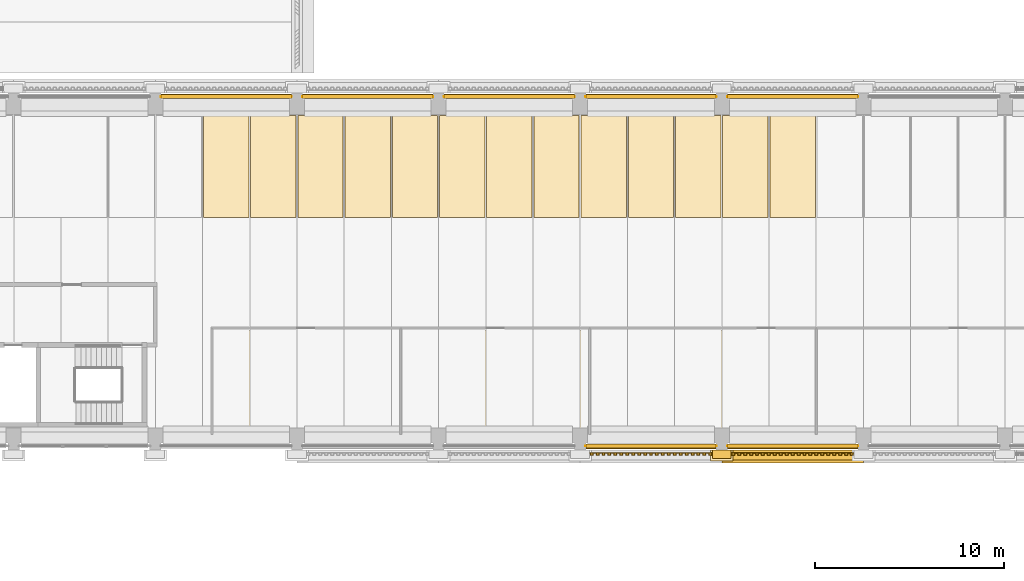
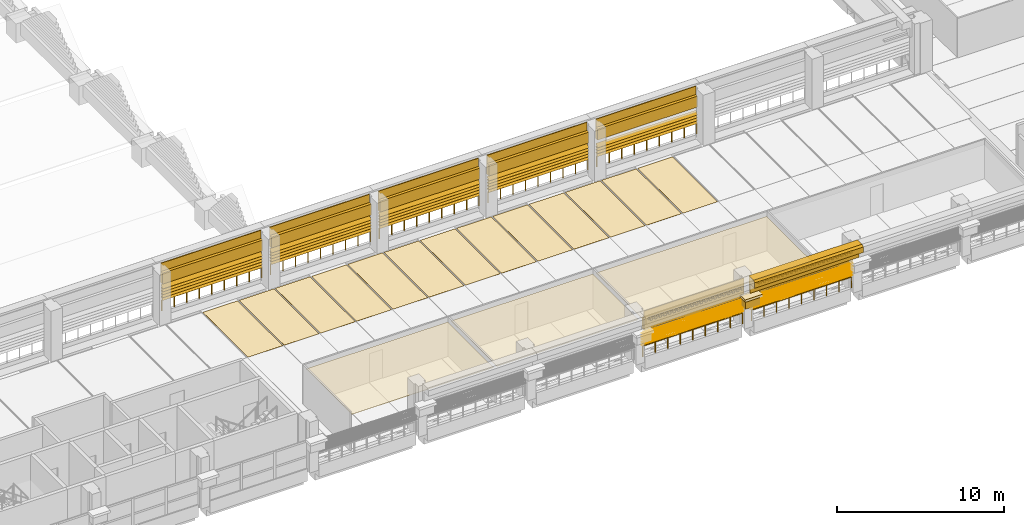
# One storey, part 46 of 71: 34 shading devices, 28 coverings, 7 railings.
"""IFC4 building model written with IfcOpenShell, lengths in metres."""

from ifc_helpers import new_model, si_unit, direction, frame, origin, origin_2d, place, context, subcontext, project, spatial, polyline, circle, outline, extrude, material, layer, layer_set, type_object, element, save


model = new_model("IFC4")

# Units and contexts
model_context = context("Model", 3, precision=1e-05, world=origin(), true_north=direction((0.0, 1.0)))
body_context = subcontext(model_context, "Body", "Model", "MODEL_VIEW")
ifc_project = project(units=[si_unit("LENGTHUNIT", "METRE"), si_unit("AREAUNIT", "SQUARE_METRE"), si_unit("VOLUMEUNIT", "CUBIC_METRE"), si_unit("PLANEANGLEUNIT", "RADIAN"), si_unit("MASSUNIT", "GRAM", prefix="KILO")], contexts=[model_context])

# Site, building, storey
site_placement = place(None, origin())
site = spatial("IfcSite", under=ifc_project, at=site_placement, CompositionType="ELEMENT")
building_placement = place(site_placement, origin())
building = spatial("IfcBuilding", under=site, at=building_placement, Name="Cour d'Honneur Mobility Palace", CompositionType="ELEMENT")
storey_placement = place(building_placement, frame((0.0, 0.0, 15.60009765625)))
storey = spatial("IfcBuildingStorey", under=building, at=storey_placement, Name="L04", CompositionType="ELEMENT", Elevation=15.60009765625)

# Railings
ifc_material_1 = material(Name="Painted steel", Category="steel")
railing_type = type_object("IfcRailingType", Name="Balustrade", PredefinedType="BALUSTRADE", material=ifc_material_1)
for number, where, name in (
    (1, (115.199951171875, 44.449951171875, 0.2998046875), "Balustrade BAL-214"),
    (2, (122.699951171875, 44.449951171875, 0.2998046875), "Balustrade BAL-215"),
):
    element("IfcRailing", number, at=place(storey_placement, frame(where)), inside=storey, type_object=railing_type, Name=name, PredefinedType="BALUSTRADE", context=body_context, shape_type="SweptSolid", body=[
        extrude(circle(Radius=0.02392578125, at=origin_2d()), frame((0.0, 0.0, 0.77587890625), z_axis=(1.0, 0.0, 0.0), x_axis=(0.0, 1.0, 0.0)), (0.0, 0.0, 1.0), 6.900146484375),
        extrude(circle(Radius=0.02099609375, at=origin_2d()), origin(), (0.0, 0.0, 1.0), 0.751953125),
        extrude(circle(Radius=0.02099609375, at=origin_2d()), frame((0.862548828125, 0.0, 0.0)), (0.0, 0.0, 1.0), 0.751953125),
        extrude(circle(Radius=0.02099609375, at=origin_2d()), frame((1.72509765625, 0.0, 0.0)), (0.0, 0.0, 1.0), 0.751953125),
        extrude(circle(Radius=0.02099609375, at=origin_2d()), frame((2.587646484375, 0.0, 0.0)), (0.0, 0.0, 1.0), 0.751953125),
        extrude(circle(Radius=0.02099609375, at=origin_2d()), frame((3.4501953125, 0.0, 0.0)), (0.0, 0.0, 1.0), 0.751953125),
        extrude(circle(Radius=0.02099609375, at=origin_2d()), frame((4.3125, 0.0, 0.0)), (0.0, 0.0, 1.0), 0.751953125),
        extrude(circle(Radius=0.02099609375, at=origin_2d()), frame((5.175048828125, 0.0, 0.0)), (0.0, 0.0, 1.0), 0.751953125),
        extrude(circle(Radius=0.02099609375, at=origin_2d()), frame((6.03759765625, 0.0, 0.0)), (0.0, 0.0, 1.0), 0.751953125),
        extrude(circle(Radius=0.02099609375, at=origin_2d()), frame((6.900146484375, 0.0, 0.0)), (0.0, 0.0, 1.0), 0.751953125),
    ])
for number, where, name in (
    (3, (129.60009765625, 62.949951171875, 0.2998046875), "Balustrade BAL-237"),
    (4, (122.10009765625, 62.949951171875, 0.2998046875), "Balustrade BAL-238"),
    (5, (114.60009765625, 62.949951171875, 0.2998046875), "Balustrade BAL-239"),
    (6, (107.10009765625, 62.949951171875, 0.2998046875), "Balustrade BAL-240"),
    (7, (99.60009765625, 62.949951171875, 0.2998046875), "Balustrade BAL-241"),
):
    element("IfcRailing", number, at=place(storey_placement, frame(where)), inside=storey, type_object=railing_type, Name=name, PredefinedType="BALUSTRADE", context=body_context, shape_type="SweptSolid", body=[
        extrude(circle(Radius=0.02392578125, at=origin_2d()), frame((0.0, 0.0, 0.77587890625), z_axis=(-1.0, 0.0, 0.0), x_axis=(0.0, -1.0, 0.0)), (0.0, 0.0, 1.0), 6.900146484375),
        extrude(circle(Radius=0.02099609375, at=origin_2d()), origin(), (0.0, 0.0, 1.0), 0.751953125),
        extrude(circle(Radius=0.02099609375, at=origin_2d()), frame((-0.862548828125, 0.0, 0.0)), (0.0, 0.0, 1.0), 0.751953125),
        extrude(circle(Radius=0.02099609375, at=origin_2d()), frame((-1.72509765625, 0.0, 0.0)), (0.0, 0.0, 1.0), 0.751953125),
        extrude(circle(Radius=0.02099609375, at=origin_2d()), frame((-2.587646484375, 0.0, 0.0)), (0.0, 0.0, 1.0), 0.751953125),
        extrude(circle(Radius=0.02099609375, at=origin_2d()), frame((-3.4501953125, 0.0, 0.0)), (0.0, 0.0, 1.0), 0.751953125),
        extrude(circle(Radius=0.02099609375, at=origin_2d()), frame((-4.3125, 0.0, 0.0)), (0.0, 0.0, 1.0), 0.751953125),
        extrude(circle(Radius=0.02099609375, at=origin_2d()), frame((-5.175048828125, 0.0, 0.0)), (0.0, 0.0, 1.0), 0.751953125),
        extrude(circle(Radius=0.02099609375, at=origin_2d()), frame((-6.03759765625, 0.0, 0.0)), (0.0, 0.0, 1.0), 0.751953125),
        extrude(circle(Radius=0.02099609375, at=origin_2d()), frame((-6.900146484375, 0.0, 0.0)), (0.0, 0.0, 1.0), 0.751953125),
    ])

# Coverings
ifc_material_2 = material(Name="Cast limestone", Category="masonry")
ifc_layer_1 = layer(ifc_material_2, 0.14990234375)
ifc_layer_set_1 = layer_set([ifc_layer_1], Name="Cast limestone")
covering_type_1 = type_object("IfcCoveringType", Name="Dentil course", PredefinedType="CLADDING", material=ifc_layer_set_1)
covering_1_placement = place(storey_placement, frame((0.0, 0.0, 3.14990234375)))
element("IfcCovering", 8, at=covering_1_placement, inside=storey, type_object=covering_type_1, Name="Dentil course DC-79", PredefinedType="CLADDING", context=body_context, shape_type="SweptSolid", body=[
    extrude(outline(polyline([(115.35009765625, 44.10009765625), (121.949951171875, 44.10009765625), (121.949951171875, 44.070068359375), (121.949951171875, 44.070068359375), (121.871337890625, 44.070068359375), (121.871337890625, 43.949951171875), (121.71435546875, 43.949951171875), (121.71435546875, 44.070068359375), (121.6357421875, 44.070068359375), (121.6357421875, 44.070068359375), (121.55712890625, 44.070068359375), (121.55712890625, 43.949951171875), (121.39990234375, 43.949951171875), (121.39990234375, 44.070068359375), (121.321533203125, 44.070068359375), (121.321533203125, 44.070068359375), (121.242919921875, 44.070068359375), (121.242919921875, 43.949951171875), (121.085693359375, 43.949951171875), (121.085693359375, 44.070068359375), (121.007080078125, 44.070068359375), (121.007080078125, 44.070068359375), (120.928466796875, 44.070068359375), (120.928466796875, 43.949951171875), (120.771484375, 43.949951171875), (120.771484375, 44.070068359375), (120.69287109375, 44.070068359375), (120.69287109375, 44.070068359375), (120.6142578125, 44.070068359375), (120.6142578125, 43.949951171875), (120.45703125, 43.949951171875), (120.45703125, 44.070068359375), (120.378662109375, 44.070068359375), (120.378662109375, 44.070068359375), (120.300048828125, 44.070068359375), (120.300048828125, 43.949951171875), (120.142822265625, 43.949951171875), (120.142822265625, 44.070068359375), (120.064208984375, 44.070068359375), (120.064208984375, 44.070068359375), (119.985595703125, 44.070068359375), (119.985595703125, 43.949951171875), (119.82861328125, 43.949951171875), (119.82861328125, 44.070068359375), (119.75, 44.070068359375), (119.75, 44.070068359375), (119.67138671875, 44.070068359375), (119.67138671875, 43.949951171875), (119.514404296875, 43.949951171875), (119.514404296875, 44.070068359375), (119.435791015625, 44.070068359375), (119.435791015625, 44.070068359375), (119.357177734375, 44.070068359375), (119.357177734375, 43.949951171875), (119.199951171875, 43.949951171875), (119.199951171875, 44.070068359375), (119.121337890625, 44.070068359375), (119.121337890625, 44.070068359375), (119.04296875, 44.070068359375), (119.04296875, 43.949951171875), (118.8857421875, 43.949951171875), (118.8857421875, 44.070068359375), (118.80712890625, 44.070068359375), (118.80712890625, 44.070068359375), (118.728515625, 44.070068359375), (118.728515625, 43.949951171875), (118.571533203125, 43.949951171875), (118.571533203125, 44.070068359375), (118.492919921875, 44.070068359375), (118.492919921875, 44.070068359375), (118.414306640625, 44.070068359375), (118.414306640625, 43.949951171875), (118.257080078125, 43.949951171875), (118.257080078125, 44.070068359375), (118.178466796875, 44.070068359375), (118.178466796875, 44.070068359375), (118.10009765625, 44.070068359375), (118.10009765625, 43.949951171875), (117.94287109375, 43.949951171875), (117.94287109375, 44.070068359375), (117.8642578125, 44.070068359375), (117.8642578125, 44.070068359375), (117.78564453125, 44.070068359375), (117.78564453125, 43.949951171875), (117.628662109375, 43.949951171875), (117.628662109375, 44.070068359375), (117.550048828125, 44.070068359375), (117.550048828125, 44.070068359375), (117.471435546875, 44.070068359375), (117.471435546875, 43.949951171875), (117.314208984375, 43.949951171875), (117.314208984375, 44.070068359375), (117.235595703125, 44.070068359375), (117.235595703125, 44.070068359375), (117.1572265625, 44.070068359375), (117.1572265625, 43.949951171875), (117.0, 43.949951171875), (117.0, 44.070068359375), (116.92138671875, 44.070068359375), (116.92138671875, 44.070068359375), (116.8427734375, 44.070068359375), (116.8427734375, 43.949951171875), (116.685791015625, 43.949951171875), (116.685791015625, 44.070068359375), (116.607177734375, 44.070068359375), (116.607177734375, 44.070068359375), (116.528564453125, 44.070068359375), (116.528564453125, 43.949951171875), (116.371337890625, 43.949951171875), (116.371337890625, 44.070068359375), (116.29296875, 44.070068359375), (116.29296875, 44.070068359375), (116.21435546875, 44.070068359375), (116.21435546875, 43.949951171875), (116.05712890625, 43.949951171875), (116.05712890625, 44.070068359375), (115.978515625, 44.070068359375), (115.978515625, 44.070068359375), (115.89990234375, 44.070068359375), (115.89990234375, 43.949951171875), (115.742919921875, 43.949951171875), (115.742919921875, 44.070068359375), (115.664306640625, 44.070068359375), (115.664306640625, 44.070068359375), (115.585693359375, 44.070068359375), (115.585693359375, 43.949951171875), (115.428466796875, 43.949951171875), (115.428466796875, 44.070068359375), (115.35009765625, 44.070068359375), (115.35009765625, 44.10009765625)])), origin(), (0.0, 0.0, 1.0), 0.14990234375),
])
covering_2_placement = place(storey_placement, frame((0.0, 0.0, 3.14990234375)))
element("IfcCovering", 9, at=covering_2_placement, inside=storey, type_object=covering_type_1, Name="Dentil course DC-80", PredefinedType="CLADDING", context=body_context, shape_type="SweptSolid", body=[
    extrude(outline(polyline([(122.85009765625, 44.10009765625), (129.449951171875, 44.10009765625), (129.449951171875, 44.070068359375), (129.449951171875, 44.070068359375), (129.371337890625, 44.070068359375), (129.371337890625, 43.949951171875), (129.21435546875, 43.949951171875), (129.21435546875, 44.070068359375), (129.1357421875, 44.070068359375), (129.1357421875, 44.070068359375), (129.05712890625, 44.070068359375), (129.05712890625, 43.949951171875), (128.89990234375, 43.949951171875), (128.89990234375, 44.070068359375), (128.821533203125, 44.070068359375), (128.821533203125, 44.070068359375), (128.742919921875, 44.070068359375), (128.742919921875, 43.949951171875), (128.585693359375, 43.949951171875), (128.585693359375, 44.070068359375), (128.507080078125, 44.070068359375), (128.507080078125, 44.070068359375), (128.428466796875, 44.070068359375), (128.428466796875, 43.949951171875), (128.271484375, 43.949951171875), (128.271484375, 44.070068359375), (128.19287109375, 44.070068359375), (128.19287109375, 44.070068359375), (128.1142578125, 44.070068359375), (128.1142578125, 43.949951171875), (127.95703125, 43.949951171875), (127.95703125, 44.070068359375), (127.878662109375, 44.070068359375), (127.878662109375, 44.070068359375), (127.800048828125, 44.070068359375), (127.800048828125, 43.949951171875), (127.642822265625, 43.949951171875), (127.642822265625, 44.070068359375), (127.564208984375, 44.070068359375), (127.564208984375, 44.070068359375), (127.485595703125, 44.070068359375), (127.485595703125, 43.949951171875), (127.32861328125, 43.949951171875), (127.32861328125, 44.070068359375), (127.25, 44.070068359375), (127.25, 44.070068359375), (127.17138671875, 44.070068359375), (127.17138671875, 43.949951171875), (127.014404296875, 43.949951171875), (127.014404296875, 44.070068359375), (126.935791015625, 44.070068359375), (126.935791015625, 44.070068359375), (126.857177734375, 44.070068359375), (126.857177734375, 43.949951171875), (126.699951171875, 43.949951171875), (126.699951171875, 44.070068359375), (126.621337890625, 44.070068359375), (126.621337890625, 44.070068359375), (126.54296875, 44.070068359375), (126.54296875, 43.949951171875), (126.3857421875, 43.949951171875), (126.3857421875, 44.070068359375), (126.30712890625, 44.070068359375), (126.30712890625, 44.070068359375), (126.228515625, 44.070068359375), (126.228515625, 43.949951171875), (126.071533203125, 43.949951171875), (126.071533203125, 44.070068359375), (125.992919921875, 44.070068359375), (125.992919921875, 44.070068359375), (125.914306640625, 44.070068359375), (125.914306640625, 43.949951171875), (125.757080078125, 43.949951171875), (125.757080078125, 44.070068359375), (125.678466796875, 44.070068359375), (125.678466796875, 44.070068359375), (125.60009765625, 44.070068359375), (125.60009765625, 43.949951171875), (125.44287109375, 43.949951171875), (125.44287109375, 44.070068359375), (125.3642578125, 44.070068359375), (125.3642578125, 44.070068359375), (125.28564453125, 44.070068359375), (125.28564453125, 43.949951171875), (125.128662109375, 43.949951171875), (125.128662109375, 44.070068359375), (125.050048828125, 44.070068359375), (125.050048828125, 44.070068359375), (124.971435546875, 44.070068359375), (124.971435546875, 43.949951171875), (124.814208984375, 43.949951171875), (124.814208984375, 44.070068359375), (124.735595703125, 44.070068359375), (124.735595703125, 44.070068359375), (124.6572265625, 44.070068359375), (124.6572265625, 43.949951171875), (124.5, 43.949951171875), (124.5, 44.070068359375), (124.42138671875, 44.070068359375), (124.42138671875, 44.070068359375), (124.3427734375, 44.070068359375), (124.3427734375, 43.949951171875), (124.185791015625, 43.949951171875), (124.185791015625, 44.070068359375), (124.107177734375, 44.070068359375), (124.107177734375, 44.070068359375), (124.028564453125, 44.070068359375), (124.028564453125, 43.949951171875), (123.871337890625, 43.949951171875), (123.871337890625, 44.070068359375), (123.79296875, 44.070068359375), (123.79296875, 44.070068359375), (123.71435546875, 44.070068359375), (123.71435546875, 43.949951171875), (123.55712890625, 43.949951171875), (123.55712890625, 44.070068359375), (123.478515625, 44.070068359375), (123.478515625, 44.070068359375), (123.39990234375, 44.070068359375), (123.39990234375, 43.949951171875), (123.242919921875, 43.949951171875), (123.242919921875, 44.070068359375), (123.164306640625, 44.070068359375), (123.164306640625, 44.070068359375), (123.085693359375, 44.070068359375), (123.085693359375, 43.949951171875), (122.928466796875, 43.949951171875), (122.928466796875, 44.070068359375), (122.85009765625, 44.070068359375), (122.85009765625, 44.10009765625)])), origin(), (0.0, 0.0, 1.0), 0.14990234375),
])
ifc_material_3 = material(Name="Cast limestone", Category="masonry")
ifc_layer_2 = layer(ifc_material_3, 0.699951171875)
ifc_layer_set_2 = layer_set([ifc_layer_2], Name="Cast limestone")
covering_type_2 = type_object("IfcCoveringType", Name="Entablature", PredefinedType="CLADDING", material=ifc_layer_set_2)
covering_3_placement = place(storey_placement, frame((122.39990234375, 44.25, 2.599853515625), z_axis=(-1.0, 0.0, 0.0), x_axis=(0.0, -1.0, 0.0)))
element("IfcCovering", 10, at=covering_3_placement, inside=storey, type_object=covering_type_2, Name="Entablature EN-80", PredefinedType="CLADDING", context=body_context, shape_type="SweptSolid", body=[
    extrude(outline(polyline([(0.0, 0.0), (0.14990234375, 0.0), (0.14990234375, 0.699951171875), (0.699951171875, 0.699951171875), (0.699951171875, 1.10009765625), (0.550048828125, 1.199951171875), (0.0, 1.199951171875), (0.0, 0.0)])), origin(), (0.0, 0.0, -1.0), 7.5),
])
ifc_material_4 = material(Name="Parking marking paint")
ifc_layer_3 = layer(ifc_material_4, 0.0048828125)
ifc_layer_set_3 = layer_set([ifc_layer_3], Name="Parking marking paint")
covering_type_3 = type_object("IfcCoveringType", Name="Parking bay marking", PredefinedType="FLOORING", material=ifc_layer_set_3)
covering_4_placement = place(storey_placement, origin())
element("IfcCovering", 11, at=covering_4_placement, inside=storey, type_object=covering_type_3, Name="Parking bay marking L04 18", PredefinedType="FLOORING", context=body_context, shape_type="SweptSolid", body=[
    extrude(outline(polyline([(97.35009765625, 56.550048828125), (94.949951171875, 56.550048828125), (94.949951171875, 61.949951171875), (97.35009765625, 61.949951171875), (97.35009765625, 56.550048828125)])), origin(), (0.0, 0.0, 1.0), 0.0048828125),
])
covering_5_placement = place(storey_placement, origin())
element("IfcCovering", 12, at=covering_5_placement, inside=storey, type_object=covering_type_3, Name="Parking bay marking L04 19", PredefinedType="FLOORING", context=body_context, shape_type="SweptSolid", body=[
    extrude(outline(polyline([(99.85009765625, 56.550048828125), (97.449951171875, 56.550048828125), (97.449951171875, 61.949951171875), (99.85009765625, 61.949951171875), (99.85009765625, 56.550048828125)])), origin(), (0.0, 0.0, 1.0), 0.0048828125),
])
covering_6_placement = place(storey_placement, origin())
element("IfcCovering", 13, at=covering_6_placement, inside=storey, type_object=covering_type_3, Name="Parking bay marking L04 20", PredefinedType="FLOORING", context=body_context, shape_type="SweptSolid", body=[
    extrude(outline(polyline([(102.35009765625, 56.550048828125), (99.949951171875, 56.550048828125), (99.949951171875, 61.949951171875), (102.35009765625, 61.949951171875), (102.35009765625, 56.550048828125)])), origin(), (0.0, 0.0, 1.0), 0.0048828125),
])
covering_7_placement = place(storey_placement, origin())
element("IfcCovering", 14, at=covering_7_placement, inside=storey, type_object=covering_type_3, Name="Parking bay marking L04 21", PredefinedType="FLOORING", context=body_context, shape_type="SweptSolid", body=[
    extrude(outline(polyline([(104.85009765625, 56.550048828125), (102.449951171875, 56.550048828125), (102.449951171875, 61.949951171875), (104.85009765625, 61.949951171875), (104.85009765625, 56.550048828125)])), origin(), (0.0, 0.0, 1.0), 0.0048828125),
])
covering_8_placement = place(storey_placement, origin())
element("IfcCovering", 15, at=covering_8_placement, inside=storey, type_object=covering_type_3, Name="Parking bay marking L04 22", PredefinedType="FLOORING", context=body_context, shape_type="SweptSolid", body=[
    extrude(outline(polyline([(107.35009765625, 56.550048828125), (104.949951171875, 56.550048828125), (104.949951171875, 61.949951171875), (107.35009765625, 61.949951171875), (107.35009765625, 56.550048828125)])), origin(), (0.0, 0.0, 1.0), 0.0048828125),
])
covering_9_placement = place(storey_placement, origin())
element("IfcCovering", 16, at=covering_9_placement, inside=storey, type_object=covering_type_3, Name="Parking bay marking L04 23", PredefinedType="FLOORING", context=body_context, shape_type="SweptSolid", body=[
    extrude(outline(polyline([(109.85009765625, 56.550048828125), (107.449951171875, 56.550048828125), (107.449951171875, 61.949951171875), (109.85009765625, 61.949951171875), (109.85009765625, 56.550048828125)])), origin(), (0.0, 0.0, 1.0), 0.0048828125),
])
covering_10_placement = place(storey_placement, origin())
element("IfcCovering", 17, at=covering_10_placement, inside=storey, type_object=covering_type_3, Name="Parking bay marking L04 24", PredefinedType="FLOORING", context=body_context, shape_type="SweptSolid", body=[
    extrude(outline(polyline([(112.35009765625, 56.550048828125), (109.949951171875, 56.550048828125), (109.949951171875, 61.949951171875), (112.35009765625, 61.949951171875), (112.35009765625, 56.550048828125)])), origin(), (0.0, 0.0, 1.0), 0.0048828125),
])
covering_11_placement = place(storey_placement, origin())
element("IfcCovering", 18, at=covering_11_placement, inside=storey, type_object=covering_type_3, Name="Parking bay marking L04 25", PredefinedType="FLOORING", context=body_context, shape_type="SweptSolid", body=[
    extrude(outline(polyline([(114.85009765625, 56.550048828125), (112.449951171875, 56.550048828125), (112.449951171875, 61.949951171875), (114.85009765625, 61.949951171875), (114.85009765625, 56.550048828125)])), origin(), (0.0, 0.0, 1.0), 0.0048828125),
])
covering_12_placement = place(storey_placement, origin())
element("IfcCovering", 19, at=covering_12_placement, inside=storey, type_object=covering_type_3, Name="Parking bay marking L04 27", PredefinedType="FLOORING", context=body_context, shape_type="SweptSolid", body=[
    extrude(outline(polyline([(117.35009765625, 56.550048828125), (114.949951171875, 56.550048828125), (114.949951171875, 61.949951171875), (117.35009765625, 61.949951171875), (117.35009765625, 56.550048828125)])), origin(), (0.0, 0.0, 1.0), 0.0048828125),
])
covering_13_placement = place(storey_placement, origin())
element("IfcCovering", 20, at=covering_13_placement, inside=storey, type_object=covering_type_3, Name="Parking bay marking L04 28", PredefinedType="FLOORING", context=body_context, shape_type="SweptSolid", body=[
    extrude(outline(polyline([(119.85009765625, 56.550048828125), (117.449951171875, 56.550048828125), (117.449951171875, 61.949951171875), (119.85009765625, 61.949951171875), (119.85009765625, 56.550048828125)])), origin(), (0.0, 0.0, 1.0), 0.0048828125),
])
covering_14_placement = place(storey_placement, origin())
element("IfcCovering", 21, at=covering_14_placement, inside=storey, type_object=covering_type_3, Name="Parking bay marking L04 29", PredefinedType="FLOORING", context=body_context, shape_type="SweptSolid", body=[
    extrude(outline(polyline([(122.35009765625, 56.550048828125), (119.949951171875, 56.550048828125), (119.949951171875, 61.949951171875), (122.35009765625, 61.949951171875), (122.35009765625, 56.550048828125)])), origin(), (0.0, 0.0, 1.0), 0.0048828125),
])
covering_15_placement = place(storey_placement, origin())
element("IfcCovering", 22, at=covering_15_placement, inside=storey, type_object=covering_type_3, Name="Parking bay marking L04 30", PredefinedType="FLOORING", context=body_context, shape_type="SweptSolid", body=[
    extrude(outline(polyline([(124.85009765625, 56.550048828125), (122.449951171875, 56.550048828125), (122.449951171875, 61.949951171875), (124.85009765625, 61.949951171875), (124.85009765625, 56.550048828125)])), origin(), (0.0, 0.0, 1.0), 0.0048828125),
])
covering_16_placement = place(storey_placement, origin())
element("IfcCovering", 23, at=covering_16_placement, inside=storey, type_object=covering_type_3, Name="Parking bay marking L04 31", PredefinedType="FLOORING", context=body_context, shape_type="SweptSolid", body=[
    extrude(outline(polyline([(127.35009765625, 56.550048828125), (124.949951171875, 56.550048828125), (124.949951171875, 61.949951171875), (127.35009765625, 61.949951171875), (127.35009765625, 56.550048828125)])), origin(), (0.0, 0.0, 1.0), 0.0048828125),
])
ifc_material_5 = material(Name="Cast limestone", Category="masonry")
ifc_layer_4 = layer(ifc_material_5, 0.1201171875)
ifc_layer_set_4 = layer_set([ifc_layer_4], Name="Cast limestone")
covering_type_4 = type_object("IfcCoveringType", Name="Pilaster capital", PredefinedType="CLADDING", material=ifc_layer_set_4)
covering_17_placement = place(storey_placement, frame((0.0, 0.0, 1.7998046875)))
element("IfcCovering", 24, at=covering_17_placement, inside=storey, type_object=covering_type_4, Name="Pilaster capital PK-47", PredefinedType="CLADDING", context=body_context, shape_type="SweptSolid", body=[
    extrude(outline(polyline([(121.89990234375, 44.25), (122.89990234375, 44.25), (122.89990234375, 43.780029296875), (121.89990234375, 43.780029296875), (121.89990234375, 44.25)])), origin(), (0.0, 0.0, 1.0), 0.6201171875),
])
covering_18_placement = place(storey_placement, frame((0.0, 0.0, 2.419921875)))
element("IfcCovering", 25, at=covering_18_placement, inside=storey, type_object=covering_type_4, Name="Pilaster capital PK-48", PredefinedType="CLADDING", context=body_context, shape_type="SweptSolid", body=[
    extrude(outline(polyline([(121.800048828125, 44.25), (123.0, 44.25), (123.0, 43.64990234375), (121.800048828125, 43.64990234375), (121.800048828125, 44.25)])), origin(), (0.0, 0.0, 1.0), 0.179931640625),
])
ifc_material_6 = material(Name="Cast limestone", Category="masonry")
ifc_layer_5 = layer(ifc_material_6, 0.25)
ifc_layer_set_5 = layer_set([ifc_layer_5], Name="Cast limestone")
covering_type_5 = type_object("IfcCoveringType", Name="Spandrel cladding", PredefinedType="CLADDING", material=ifc_layer_set_5)
for number, where, z_axis, x_axis, name in (
    (26, (115.199951171875, 44.550048828125, 2.2998046875), (-1.0, 0.0, 0.0), (0.0, -1.0, 0.0), "Spandrel cladding SK-290"),
    (27, (122.699951171875, 44.550048828125, 2.2998046875), (-1.0, 0.0, 0.0), (0.0, -1.0, 0.0), "Spandrel cladding SK-291"),
    (28, (129.60009765625, 62.85009765625, 2.2998046875), (1.0, 0.0, 0.0), (0.0, 1.0, 0.0), "Spandrel cladding SK-316"),
    (29, (122.10009765625, 62.85009765625, 2.2998046875), (1.0, 0.0, 0.0), (0.0, 1.0, 0.0), "Spandrel cladding SK-317"),
    (30, (114.60009765625, 62.85009765625, 2.2998046875), (1.0, 0.0, 0.0), (0.0, 1.0, 0.0), "Spandrel cladding SK-318"),
    (31, (107.10009765625, 62.85009765625, 2.2998046875), (1.0, 0.0, 0.0), (0.0, 1.0, 0.0), "Spandrel cladding SK-319"),
    (32, (99.60009765625, 62.85009765625, 2.2998046875), (1.0, 0.0, 0.0), (0.0, 1.0, 0.0), "Spandrel cladding SK-320"),
):
    element("IfcCovering", number, at=place(storey_placement, frame(where, z_axis=z_axis, x_axis=x_axis)), inside=storey, type_object=covering_type_5, Name=name, PredefinedType="CLADDING", context=body_context, shape_type="SweptSolid", body=[
        extrude(outline(polyline([(0.0, 0.0), (0.25, 0.0), (0.25, 1.400146484375), (0.199951171875, 1.400146484375), (0.199951171875, 0.800048828125), (0.0, 0.800048828125), (0.0, 0.0)])), origin(), (0.0, 0.0, -1.0), 6.89990234375),
    ])
ifc_material_7 = material(Name="Suspended ceiling")
ifc_layer_6 = layer(ifc_material_7, 0.030029296875)
ifc_layer_set_6 = layer_set([ifc_layer_6], Name="Suspended ceiling")
covering_type_6 = type_object("IfcCoveringType", Name="Suspended ceiling", PredefinedType="CEILING", material=ifc_layer_set_6)
covering_19_placement = place(storey_placement, frame((0.0, 0.0, 2.5498046875)))
element("IfcCovering", 33, at=covering_19_placement, inside=storey, type_object=covering_type_6, Name="Ceiling Valet Operations Room", PredefinedType="CEILING", context=body_context, shape_type="SweptSolid", body=[
    extrude(outline(polyline([(127.280029296875, 45.1201171875), (115.52001953125, 45.1201171875), (115.52001953125, 50.580078125), (127.280029296875, 50.580078125), (127.280029296875, 45.1201171875)])), origin(), (0.0, 0.0, 1.0), 0.030029296875),
])
covering_20_placement = place(storey_placement, frame((0.0, 0.0, 2.5498046875)))
element("IfcCovering", 34, at=covering_20_placement, inside=storey, type_object=covering_type_6, Name="Ceiling Mobility Training Classroom 3", PredefinedType="CEILING", context=body_context, shape_type="SweptSolid", body=[
    extrude(outline(polyline([(115.280029296875, 45.1201171875), (105.52001953125, 45.1201171875), (105.52001953125, 50.580078125), (115.280029296875, 50.580078125), (115.280029296875, 45.1201171875)])), origin(), (0.0, 0.0, 1.0), 0.030029296875),
])
covering_21_placement = place(storey_placement, frame((0.0, 0.0, 2.5498046875)))
element("IfcCovering", 35, at=covering_21_placement, inside=storey, type_object=covering_type_6, Name="Ceiling Mobility Training Classroom 4", PredefinedType="CEILING", context=body_context, shape_type="SweptSolid", body=[
    extrude(outline(polyline([(105.280029296875, 45.1201171875), (95.52001953125, 45.1201171875), (95.52001953125, 50.580078125), (105.280029296875, 50.580078125), (105.280029296875, 45.1201171875)])), origin(), (0.0, 0.0, 1.0), 0.030029296875),
])

# Shading devices
ifc_material_8 = material(Name="Terracotta", Category="masonry")
ifc_layer_7 = layer(ifc_material_8, 0.02490234375)
ifc_layer_set_7 = layer_set([ifc_layer_7], Name="Terracotta")
shading_device_type = type_object("IfcShadingDeviceType", Name="Terracotta louvre blade", PredefinedType="JALOUSIE", material=ifc_layer_set_7)
for number, where, z_axis, x_axis, name in (
    (36, (115.199951171875, 44.55615234375, 1.099853515625), (0.0, 0.707106781187, 0.707106781187), (1.0, 0.0, 0.0), "Louvre blade LV-1 S2.13 L04 1"),
    (37, (115.199951171875, 44.55615234375, 1.31201171875), (0.0, 0.707106781187, 0.707106781187), (1.0, 0.0, 0.0), "Louvre blade LV-1 S2.13 L04 2"),
    (38, (115.199951171875, 44.55615234375, 1.524169921875), (0.0, 0.707106781187, 0.707106781187), (1.0, 0.0, 0.0), "Louvre blade LV-1 S2.13 L04 3"),
    (39, (115.199951171875, 44.55615234375, 1.736328125), (0.0, 0.707106781187, 0.707106781187), (1.0, 0.0, 0.0), "Louvre blade LV-1 S2.13 L04 4"),
    (40, (115.199951171875, 44.55615234375, 1.948486328125), (0.0, 0.707106781187, 0.707106781187), (1.0, 0.0, 0.0), "Louvre blade LV-1 S2.13 L04 5"),
    (41, (122.699951171875, 44.55615234375, 1.099853515625), (0.0, 0.707106781187, 0.707106781187), (1.0, 0.0, 0.0), "Louvre blade LV-1 S2.14 L04 1"),
    (42, (122.699951171875, 44.55615234375, 1.31201171875), (0.0, 0.707106781187, 0.707106781187), (1.0, 0.0, 0.0), "Louvre blade LV-1 S2.14 L04 2"),
    (43, (122.699951171875, 44.55615234375, 1.524169921875), (0.0, 0.707106781187, 0.707106781187), (1.0, 0.0, 0.0), "Louvre blade LV-1 S2.14 L04 3"),
    (44, (122.699951171875, 44.55615234375, 1.736328125), (0.0, 0.707106781187, 0.707106781187), (1.0, 0.0, 0.0), "Louvre blade LV-1 S2.14 L04 4"),
    (45, (122.699951171875, 44.55615234375, 1.948486328125), (0.0, 0.707106781187, 0.707106781187), (1.0, 0.0, 0.0), "Louvre blade LV-1 S2.14 L04 5"),
    (46, (129.60009765625, 62.843994140625, 1.099853515625), (0.0, -0.707106781187, 0.707106781187), (-1.0, 0.0, 0.0), "Louvre blade LV-1 N8.2 L04 1"),
    (47, (129.60009765625, 62.843994140625, 1.31201171875), (0.0, -0.707106781187, 0.707106781187), (-1.0, 0.0, 0.0), "Louvre blade LV-1 N8.2 L04 2"),
    (48, (129.60009765625, 62.843994140625, 1.524169921875), (0.0, -0.707106781187, 0.707106781187), (-1.0, 0.0, 0.0), "Louvre blade LV-1 N8.2 L04 3"),
    (49, (129.60009765625, 62.843994140625, 1.736328125), (0.0, -0.707106781187, 0.707106781187), (-1.0, 0.0, 0.0), "Louvre blade LV-1 N8.2 L04 4"),
    (50, (122.10009765625, 62.843994140625, 1.099853515625), (0.0, -0.707106781187, 0.707106781187), (-1.0, 0.0, 0.0), "Louvre blade LV-1 N8.3 L04 1"),
    (51, (122.10009765625, 62.843994140625, 1.31201171875), (0.0, -0.707106781187, 0.707106781187), (-1.0, 0.0, 0.0), "Louvre blade LV-1 N8.3 L04 2"),
    (52, (122.10009765625, 62.843994140625, 1.524169921875), (0.0, -0.707106781187, 0.707106781187), (-1.0, 0.0, 0.0), "Louvre blade LV-1 N8.3 L04 3"),
    (53, (122.10009765625, 62.843994140625, 1.736328125), (0.0, -0.707106781187, 0.707106781187), (-1.0, 0.0, 0.0), "Louvre blade LV-1 N8.3 L04 4"),
    (54, (122.10009765625, 62.843994140625, 1.948486328125), (0.0, -0.707106781187, 0.707106781187), (-1.0, 0.0, 0.0), "Louvre blade LV-1 N8.3 L04 5"),
    (55, (114.60009765625, 62.843994140625, 1.099853515625), (0.0, -0.707106781187, 0.707106781187), (-1.0, 0.0, 0.0), "Louvre blade LV-1 N8.4 L04 1"),
    (56, (114.60009765625, 62.843994140625, 1.31201171875), (0.0, -0.707106781187, 0.707106781187), (-1.0, 0.0, 0.0), "Louvre blade LV-1 N8.4 L04 2"),
    (57, (114.60009765625, 62.843994140625, 1.524169921875), (0.0, -0.707106781187, 0.707106781187), (-1.0, 0.0, 0.0), "Louvre blade LV-1 N8.4 L04 3"),
    (58, (114.60009765625, 62.843994140625, 1.736328125), (0.0, -0.707106781187, 0.707106781187), (-1.0, 0.0, 0.0), "Louvre blade LV-1 N8.4 L04 4"),
    (59, (114.60009765625, 62.843994140625, 1.948486328125), (0.0, -0.707106781187, 0.707106781187), (-1.0, 0.0, 0.0), "Louvre blade LV-1 N8.4 L04 5"),
    (60, (107.10009765625, 62.843994140625, 1.099853515625), (0.0, -0.707106781187, 0.707106781187), (-1.0, 0.0, 0.0), "Louvre blade LV-1 N8.5 L04 1"),
    (61, (107.10009765625, 62.843994140625, 1.31201171875), (0.0, -0.707106781187, 0.707106781187), (-1.0, 0.0, 0.0), "Louvre blade LV-1 N8.5 L04 2"),
    (62, (107.10009765625, 62.843994140625, 1.524169921875), (0.0, -0.707106781187, 0.707106781187), (-1.0, 0.0, 0.0), "Louvre blade LV-1 N8.5 L04 3"),
    (63, (107.10009765625, 62.843994140625, 1.736328125), (0.0, -0.707106781187, 0.707106781187), (-1.0, 0.0, 0.0), "Louvre blade LV-1 N8.5 L04 4"),
    (64, (107.10009765625, 62.843994140625, 1.948486328125), (0.0, -0.707106781187, 0.707106781187), (-1.0, 0.0, 0.0), "Louvre blade LV-1 N8.5 L04 5"),
    (65, (99.60009765625, 62.843994140625, 1.099853515625), (0.0, -0.707106781187, 0.707106781187), (-1.0, 0.0, 0.0), "Louvre blade LV-1 N8.6 L04 1"),
    (66, (99.60009765625, 62.843994140625, 1.31201171875), (0.0, -0.707106781187, 0.707106781187), (-1.0, 0.0, 0.0), "Louvre blade LV-1 N8.6 L04 2"),
    (67, (99.60009765625, 62.843994140625, 1.524169921875), (0.0, -0.707106781187, 0.707106781187), (-1.0, 0.0, 0.0), "Louvre blade LV-1 N8.6 L04 3"),
    (68, (99.60009765625, 62.843994140625, 1.736328125), (0.0, -0.707106781187, 0.707106781187), (-1.0, 0.0, 0.0), "Louvre blade LV-1 N8.6 L04 4"),
    (69, (99.60009765625, 62.843994140625, 1.948486328125), (0.0, -0.707106781187, 0.707106781187), (-1.0, 0.0, 0.0), "Louvre blade LV-1 N8.6 L04 5"),
):
    element("IfcShadingDevice", number, at=place(storey_placement, frame(where, z_axis=z_axis, x_axis=x_axis)), inside=storey, type_object=shading_device_type, Name=name, PredefinedType="JALOUSIE", context=body_context, shape_type="SweptSolid", body=[
        extrude(outline(polyline([(0.0, 0.0), (6.900146484375, 0.0), (6.900146484375, -0.300037008228081), (0.0, -0.300037008228081), (0.0, 0.0)])), origin(), (0.0, 0.0, -1.0), 0.02490234375),
    ])

save(model, "model.ifc")
